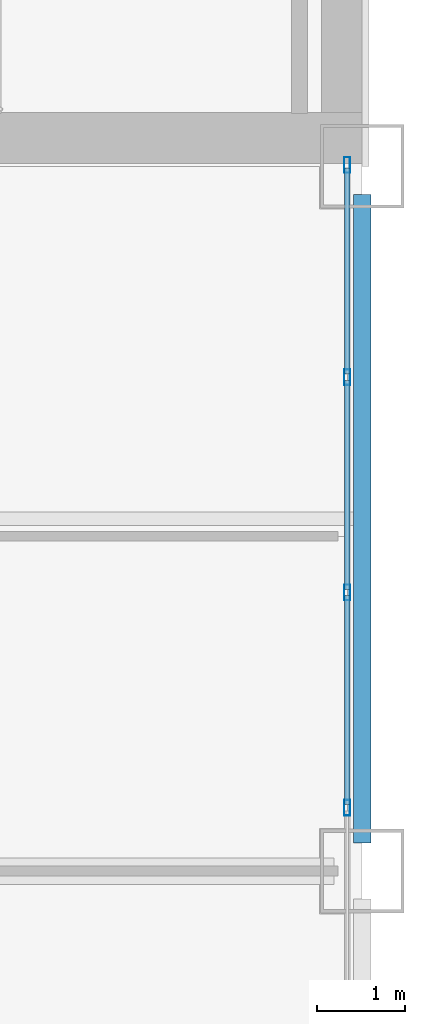
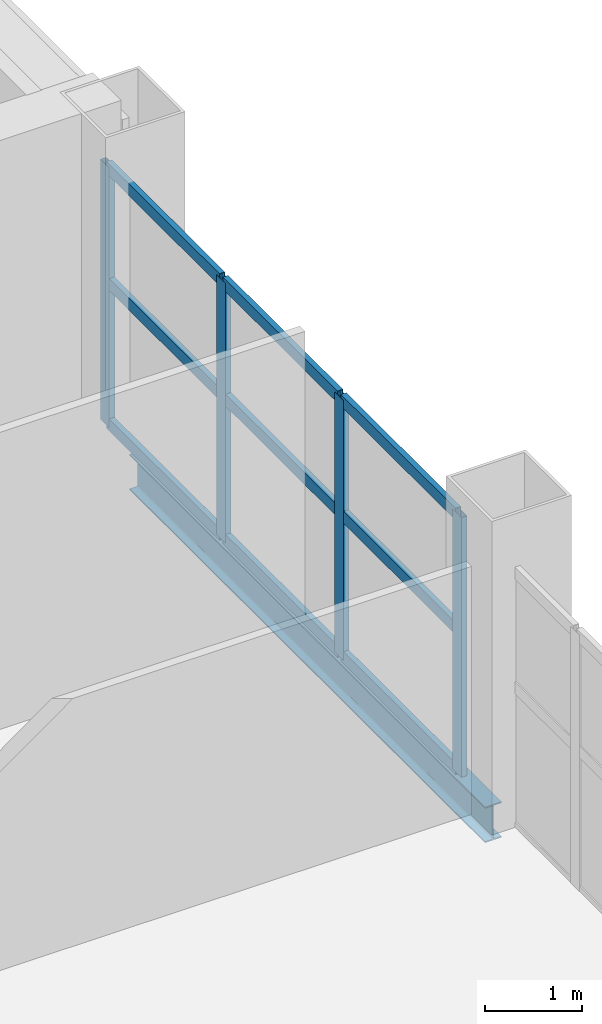
# One storey, part 6 of 12: 13 members, 1 beam, 1 element without a shape of its own.
"""IFC4 building model written with IfcOpenShell, lengths in metres."""

from ifc_helpers import new_model, si_unit, direction, frame, origin, origin_2d, place, context, subcontext, project, spatial, hollow_rectangle, i_section, extrude, material, layer, layer_set, material_profile, profile_set, type_object, element, aggregate, save


model = new_model("IFC4")

# Units and contexts
model_context = context("Model", 3, precision=1e-05, world=origin(), true_north=direction((0.0, 1.0)))
body_context = subcontext(model_context, "Body", "Model", "MODEL_VIEW")
ifc_project = project(units=[si_unit("LENGTHUNIT", "METRE"), si_unit("AREAUNIT", "SQUARE_METRE"), si_unit("VOLUMEUNIT", "CUBIC_METRE"), si_unit("PLANEANGLEUNIT", "RADIAN"), si_unit("MASSUNIT", "GRAM", prefix="KILO")], contexts=[model_context])

# Site, building, storey
site_placement = place(None, origin())
site = spatial("IfcSite", under=ifc_project, at=site_placement, CompositionType="ELEMENT")
building_placement = place(site_placement, origin())
building = spatial("IfcBuilding", under=site, at=building_placement, Name="Qianrong Seaharbour Tower", CompositionType="ELEMENT")
storey_placement = place(building_placement, frame((0.0, 0.0, 213.800048828125)))
storey = spatial("IfcBuildingStorey", under=building, at=storey_placement, Name="L51", CompositionType="ELEMENT", Elevation=213.800048828125)

# Beam
ifc_material_1 = material(Name="Structural steel SN400B", Category="steel")
ifc_material_profile_1 = material_profile(ifc_material_1, i_section(OverallWidth=0.199951171875, OverallDepth=0.449951171875, WebThickness=0.009033203125, FlangeThickness=0.013916015625, FilletRadius=0.01806640625, at=origin_2d()), Name="H450x200x9x14")
ifc_profile_set_1 = profile_set([ifc_material_profile_1], Name="Structural steel SN400B")
beam_type = type_object("IfcBeamType", Name="BM-SP-450", PredefinedType="SPANDREL", material=ifc_profile_set_1)
beam_placement = place(storey_placement, frame((64.0, 28.320068359375, -0.449951171875), z_axis=(0.0, 1.0, 0.0), x_axis=(-1.0, 0.0, 0.0)))
element("IfcBeam", 1, at=beam_placement, inside=storey, type_object=beam_type, Name="L51 Spandrel Girder G9 GE-GF", PredefinedType="SPANDREL", context=body_context, shape_type="SweptSolid", body=[
    extrude(i_section(OverallWidth=0.199951171875, OverallDepth=0.449951171875, WebThickness=0.009033203125, FlangeThickness=0.013916015625, FilletRadius=0.01806640625, at=origin_2d()), origin(), (0.0, 0.0, 1.0), 7.35986328125),
])

# Curtain wall, members
ifc_material_2 = material(Name="Anodised aluminium 6063-T6 and laminated low-e glass", Category="aluminium")
ifc_layer = layer(ifc_material_2, 0.195068359375)
ifc_layer_set = layer_set([ifc_layer], Name="Anodised aluminium 6063-T6 and laminated low-e glass")
curtain_wall_type = type_object("IfcCurtainWallType", Name="CW-SYS-3", PredefinedType="NOTDEFINED", material=ifc_layer_set)
curtain_wall_placement = place(storey_placement, origin())
curtain_wall = element("IfcCurtainWall", 2, at=curtain_wall_placement, inside=storey, type_object=curtain_wall_type, Name="L51 Sky-Garden Wintergarden Curtain Wall EAST_WING", PredefinedType="NOTDEFINED")
ifc_material_3 = material(Name="Extruded aluminium 6063-T6", Category="aluminium")
ifc_material_profile_2 = material_profile(ifc_material_3, hollow_rectangle(XDim=0.070068359375, YDim=0.179931640625, WallThickness=0.00390625, at=origin_2d()), Name="ALU-MUL-180x70x4")
ifc_profile_set_2 = profile_set([ifc_material_profile_2], Name="Extruded aluminium 6063-T6")
member_type_1 = type_object("IfcMemberType", Name="CW-MUL-180", PredefinedType="MULLION", material=ifc_profile_set_2)
member_1_placement = place(storey_placement, frame((63.830078125, 36.014892578125, 0.0), z_axis=(0.0, 0.0, 1.0), x_axis=(1.0, 0.0, 0.0)))
member_1 = element("IfcMember", 3, at=member_1_placement, type_object=member_type_1, Name="CW-3 mullion 1", PredefinedType="MULLION", context=body_context, shape_type="SweptSolid", body=[
    extrude(hollow_rectangle(XDim=0.070068359375, YDim=0.179931640625, WallThickness=0.00390625, at=origin_2d()), origin(), (0.0, 0.0, 1.0), 3.284912109375),
])
member_2_placement = place(storey_placement, frame((63.830078125, 33.606201171875, 0.0), z_axis=(0.0, 0.0, 1.0), x_axis=(1.0, 0.0, 0.0)))
member_2 = element("IfcMember", 4, at=member_2_placement, type_object=member_type_1, Name="CW-3 mullion 2", PredefinedType="MULLION", context=body_context, shape_type="SweptSolid", body=[
    extrude(hollow_rectangle(XDim=0.070068359375, YDim=0.179931640625, WallThickness=0.00390625, at=origin_2d()), origin(), (0.0, 0.0, 1.0), 3.284912109375),
])
member_3_placement = place(storey_placement, frame((63.830078125, 31.16259765625, 0.0), z_axis=(0.0, 0.0, 1.0), x_axis=(1.0, 0.0, 0.0)))
member_3 = element("IfcMember", 5, at=member_3_placement, type_object=member_type_1, Name="CW-3 mullion 3", PredefinedType="MULLION", context=body_context, shape_type="SweptSolid", body=[
    extrude(hollow_rectangle(XDim=0.070068359375, YDim=0.179931640625, WallThickness=0.00390625, at=origin_2d()), origin(), (0.0, 0.0, 1.0), 3.284912109375),
])
member_4_placement = place(storey_placement, frame((63.830078125, 28.71875, 0.0), z_axis=(0.0, 0.0, 1.0), x_axis=(1.0, 0.0, 0.0)))
member_4 = element("IfcMember", 6, at=member_4_placement, type_object=member_type_1, Name="CW-3 mullion 4", PredefinedType="MULLION", context=body_context, shape_type="SweptSolid", body=[
    extrude(hollow_rectangle(XDim=0.070068359375, YDim=0.179931640625, WallThickness=0.00390625, at=origin_2d()), origin(), (0.0, 0.0, 1.0), 3.284912109375),
])
ifc_material_profile_3 = material_profile(ifc_material_3, hollow_rectangle(XDim=0.06494140625, YDim=0.14990234375, WallThickness=0.00390625, at=origin_2d()), Name="ALU-TRN-150x65x4")
ifc_profile_set_3 = profile_set([ifc_material_profile_3], Name="Extruded aluminium 6063-T6")
member_type_2 = type_object("IfcMemberType", Name="CW-TRN-150", PredefinedType="USERDEFINED", material=ifc_profile_set_3)
member_5_placement = place(storey_placement, frame((63.830078125, 35.97998046875, 0.032470703125), z_axis=(0.0, -1.0, 0.0), x_axis=(1.0, 0.0, 0.0)))
member_5 = element("IfcMember", 7, at=member_5_placement, type_object=member_type_2, Name="CW-3 transom 1.1", ObjectType="TRANSOM", PredefinedType="USERDEFINED", context=body_context, shape_type="SweptSolid", body=[
    extrude(hollow_rectangle(XDim=0.06494140625, YDim=0.14990234375, WallThickness=0.00390625, at=origin_2d()), origin(), (0.0, 0.0, 1.0), 2.338623046875),
])
member_6_placement = place(storey_placement, frame((63.830078125, 35.97998046875, 1.806640625), z_axis=(0.0, -1.0, 0.0), x_axis=(1.0, 0.0, 0.0)))
member_6 = element("IfcMember", 8, at=member_6_placement, type_object=member_type_2, Name="CW-3 transom 1.2", ObjectType="TRANSOM", PredefinedType="USERDEFINED", context=body_context, shape_type="SweptSolid", body=[
    extrude(hollow_rectangle(XDim=0.06494140625, YDim=0.14990234375, WallThickness=0.00390625, at=origin_2d()), origin(), (0.0, 0.0, 1.0), 2.338623046875),
])
member_7_placement = place(storey_placement, frame((63.830078125, 35.97998046875, 3.25244140625), z_axis=(0.0, -1.0, 0.0), x_axis=(1.0, 0.0, 0.0)))
member_7 = element("IfcMember", 9, at=member_7_placement, type_object=member_type_2, Name="CW-3 transom 1.3", ObjectType="TRANSOM", PredefinedType="USERDEFINED", context=body_context, shape_type="SweptSolid", body=[
    extrude(hollow_rectangle(XDim=0.06494140625, YDim=0.14990234375, WallThickness=0.00390625, at=origin_2d()), origin(), (0.0, 0.0, 1.0), 2.338623046875),
])
member_8_placement = place(storey_placement, frame((63.830078125, 33.5712890625, 0.032470703125), z_axis=(0.0, -1.0, 0.0), x_axis=(1.0, 0.0, 0.0)))
member_8 = element("IfcMember", 10, at=member_8_placement, type_object=member_type_2, Name="CW-3 transom 2.1", ObjectType="TRANSOM", PredefinedType="USERDEFINED", context=body_context, shape_type="SweptSolid", body=[
    extrude(hollow_rectangle(XDim=0.06494140625, YDim=0.14990234375, WallThickness=0.00390625, at=origin_2d()), origin(), (0.0, 0.0, 1.0), 2.373779296875),
])
member_9_placement = place(storey_placement, frame((63.830078125, 33.5712890625, 1.806640625), z_axis=(0.0, -1.0, 0.0), x_axis=(1.0, 0.0, 0.0)))
member_9 = element("IfcMember", 11, at=member_9_placement, type_object=member_type_2, Name="CW-3 transom 2.2", ObjectType="TRANSOM", PredefinedType="USERDEFINED", context=body_context, shape_type="SweptSolid", body=[
    extrude(hollow_rectangle(XDim=0.06494140625, YDim=0.14990234375, WallThickness=0.00390625, at=origin_2d()), origin(), (0.0, 0.0, 1.0), 2.373779296875),
])
member_10_placement = place(storey_placement, frame((63.830078125, 33.5712890625, 3.25244140625), z_axis=(0.0, -1.0, 0.0), x_axis=(1.0, 0.0, 0.0)))
member_10 = element("IfcMember", 12, at=member_10_placement, type_object=member_type_2, Name="CW-3 transom 2.3", ObjectType="TRANSOM", PredefinedType="USERDEFINED", context=body_context, shape_type="SweptSolid", body=[
    extrude(hollow_rectangle(XDim=0.06494140625, YDim=0.14990234375, WallThickness=0.00390625, at=origin_2d()), origin(), (0.0, 0.0, 1.0), 2.373779296875),
])
member_11_placement = place(storey_placement, frame((63.830078125, 31.12744140625, 0.032470703125), z_axis=(0.0, -1.0, 0.0), x_axis=(1.0, 0.0, 0.0)))
member_11 = element("IfcMember", 13, at=member_11_placement, type_object=member_type_2, Name="CW-3 transom 3.1", ObjectType="TRANSOM", PredefinedType="USERDEFINED", context=body_context, shape_type="SweptSolid", body=[
    extrude(hollow_rectangle(XDim=0.06494140625, YDim=0.14990234375, WallThickness=0.00390625, at=origin_2d()), origin(), (0.0, 0.0, 1.0), 2.373779296875),
])
member_12_placement = place(storey_placement, frame((63.830078125, 31.12744140625, 1.806640625), z_axis=(0.0, -1.0, 0.0), x_axis=(1.0, 0.0, 0.0)))
member_12 = element("IfcMember", 14, at=member_12_placement, type_object=member_type_2, Name="CW-3 transom 3.2", ObjectType="TRANSOM", PredefinedType="USERDEFINED", context=body_context, shape_type="SweptSolid", body=[
    extrude(hollow_rectangle(XDim=0.06494140625, YDim=0.14990234375, WallThickness=0.00390625, at=origin_2d()), origin(), (0.0, 0.0, 1.0), 2.373779296875),
])
member_13_placement = place(storey_placement, frame((63.830078125, 31.12744140625, 3.25244140625), z_axis=(0.0, -1.0, 0.0), x_axis=(1.0, 0.0, 0.0)))
member_13 = element("IfcMember", 15, at=member_13_placement, type_object=member_type_2, Name="CW-3 transom 3.3", ObjectType="TRANSOM", PredefinedType="USERDEFINED", context=body_context, shape_type="SweptSolid", body=[
    extrude(hollow_rectangle(XDim=0.06494140625, YDim=0.14990234375, WallThickness=0.00390625, at=origin_2d()), origin(), (0.0, 0.0, 1.0), 2.373779296875),
])
aggregate(curtain_wall, [member_1, member_2, member_3, member_4, member_5, member_6, member_7, member_8, member_9, member_10, member_11, member_12, member_13])

save(model, "model.ifc")
